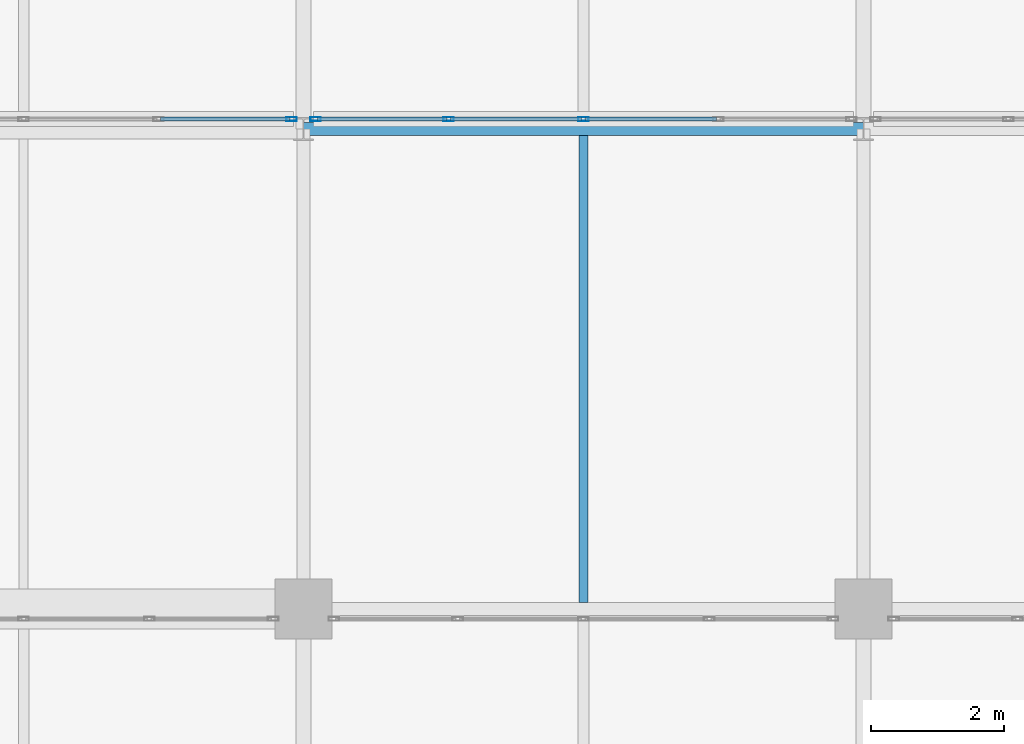
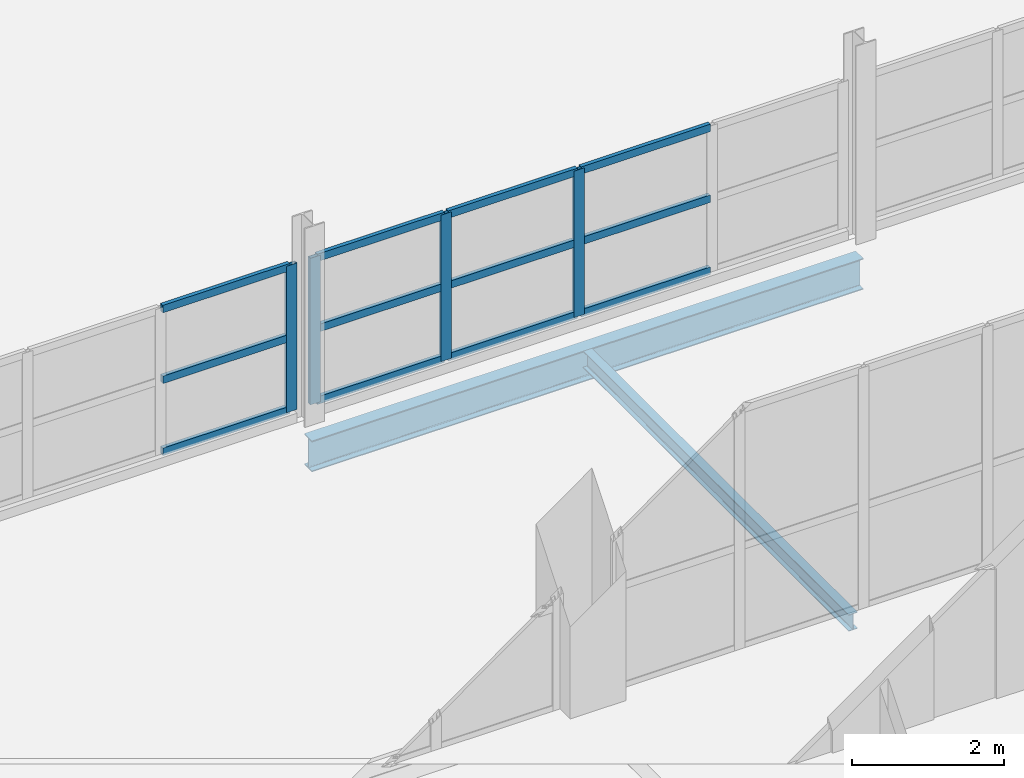
# One storey, part 20 of 103: 16 members, 2 beams, 2 elements without a shape of their own.
"""IFC4 building model written with IfcOpenShell, lengths in metres."""

from ifc_helpers import new_model, si_unit, direction, frame, origin, origin_2d, place, context, subcontext, project, spatial, hollow_rectangle, i_section, extrude, material, material_profile, profile_set, type_object, element, aggregate, save


model = new_model("IFC4")

# Units and contexts
model_context = context("Model", 3, precision=1e-05, world=origin(), true_north=direction((0.0, 1.0)))
body_context = subcontext(model_context, "Body", "Model", "MODEL_VIEW")
ifc_project = project(units=[si_unit("LENGTHUNIT", "METRE"), si_unit("AREAUNIT", "SQUARE_METRE"), si_unit("VOLUMEUNIT", "CUBIC_METRE"), si_unit("PLANEANGLEUNIT", "RADIAN"), si_unit("MASSUNIT", "GRAM", prefix="KILO")], contexts=[model_context])

# Site, building, storey
site_placement = place(None, origin())
site = spatial("IfcSite", under=ifc_project, at=site_placement, CompositionType="ELEMENT")
building_placement = place(site_placement, origin())
building = spatial("IfcBuilding", under=site, at=building_placement, Name="Veltarok Museum of Natural Sciences", CompositionType="ELEMENT")
storey_placement = place(building_placement, frame((0.0, 0.0, 21.89990234375)))
storey = spatial("IfcBuildingStorey", under=building, at=storey_placement, Name="L04", CompositionType="ELEMENT", Elevation=21.89990234375)

# Curtain wall, members
ifc_material_1 = material(Name="Low-iron triple insulated glass", Category="glass")
curtain_wall_type = type_object("IfcCurtainWallType", Name="Curtain Wall System CW-V2S-L04-810x236 (V2 South Setback L04 810x236cm)", PredefinedType="NOTDEFINED", material=ifc_material_1)
curtain_wall_1_placement = place(storey_placement, origin())
curtain_wall_1 = element("IfcCurtainWall", 1, at=curtain_wall_1_placement, inside=storey, type_object=curtain_wall_type, Name="Curtain Wall CW-V2S-L04-810x236 CW-0223", PredefinedType="NOTDEFINED")
ifc_material_2 = material(Name="Thermally broken anodised aluminium", Category="aluminium")
ifc_material_profile_1 = material_profile(ifc_material_2, hollow_rectangle(XDim=0.06005859375, YDim=0.1201171875, WallThickness=0.0048828125, at=origin_2d()), Name="CW TRANSOM 60x120x5")
ifc_profile_set_1 = profile_set([ifc_material_profile_1], Name="Thermally broken anodised aluminium")
member_type_1 = type_object("IfcMemberType", Name="Curtain Wall Horizontal Transom 60x120x5", PredefinedType="USERDEFINED", material=ifc_profile_set_1)
member_1_placement = place(storey_placement, frame((46.2548828125, 26.550048828125, 0.190185546875), z_axis=(1.0, 0.0, 0.0), x_axis=(0.0, 1.0, 0.0)))
member_1 = element("IfcMember", 2, at=member_1_placement, type_object=member_type_1, Name="CW-V2S-L04-810x236 transom 4.1", ObjectType="TRANSOM", PredefinedType="USERDEFINED", context=body_context, shape_type="SweptSolid", body=[
    extrude(hollow_rectangle(XDim=0.06005859375, YDim=0.1201171875, WallThickness=0.0048828125, at=origin_2d()), origin(), (0.0, 0.0, 1.0), 1.93505859375),
])
member_2_placement = place(storey_placement, frame((46.2548828125, 26.550048828125, 1.35009765625), z_axis=(1.0, 0.0, 0.0), x_axis=(0.0, 1.0, 0.0)))
member_2 = element("IfcMember", 3, at=member_2_placement, type_object=member_type_1, Name="CW-V2S-L04-810x236 transom 4.2", ObjectType="TRANSOM", PredefinedType="USERDEFINED", context=body_context, shape_type="SweptSolid", body=[
    extrude(hollow_rectangle(XDim=0.06005859375, YDim=0.1201171875, WallThickness=0.0048828125, at=origin_2d()), origin(), (0.0, 0.0, 1.0), 1.93505859375),
])
member_3_placement = place(storey_placement, frame((46.2548828125, 26.550048828125, 2.489990234375), z_axis=(1.0, 0.0, 0.0), x_axis=(0.0, 1.0, 0.0)))
member_3 = element("IfcMember", 4, at=member_3_placement, type_object=member_type_1, Name="CW-V2S-L04-810x236 transom 4.3", ObjectType="TRANSOM", PredefinedType="USERDEFINED", context=body_context, shape_type="SweptSolid", body=[
    extrude(hollow_rectangle(XDim=0.06005859375, YDim=0.1201171875, WallThickness=0.0048828125, at=origin_2d()), origin(), (0.0, 0.0, 1.0), 1.93505859375),
])

curtain_wall_2_placement = place(storey_placement, origin())
curtain_wall_2 = element("IfcCurtainWall", 5, at=curtain_wall_2_placement, inside=storey, type_object=curtain_wall_type, Name="Curtain Wall CW-V2S-L04-810x236 CW-0224", PredefinedType="NOTDEFINED")
member_4_placement = place(storey_placement, frame((48.610107421875, 26.550048828125, 0.190185546875), z_axis=(1.0, 0.0, 0.0), x_axis=(0.0, 1.0, 0.0)))
member_4 = element("IfcMember", 6, at=member_4_placement, type_object=member_type_1, Name="CW-V2S-L04-810x236 transom 1.1", ObjectType="TRANSOM", PredefinedType="USERDEFINED", context=body_context, shape_type="SweptSolid", body=[
    extrude(hollow_rectangle(XDim=0.06005859375, YDim=0.1201171875, WallThickness=0.0048828125, at=origin_2d()), origin(), (0.0, 0.0, 1.0), 1.934814453125),
])
member_5_placement = place(storey_placement, frame((48.610107421875, 26.550048828125, 1.35009765625), z_axis=(1.0, 0.0, 0.0), x_axis=(0.0, 1.0, 0.0)))
member_5 = element("IfcMember", 7, at=member_5_placement, type_object=member_type_1, Name="CW-V2S-L04-810x236 transom 1.2", ObjectType="TRANSOM", PredefinedType="USERDEFINED", context=body_context, shape_type="SweptSolid", body=[
    extrude(hollow_rectangle(XDim=0.06005859375, YDim=0.1201171875, WallThickness=0.0048828125, at=origin_2d()), origin(), (0.0, 0.0, 1.0), 1.934814453125),
])
member_6_placement = place(storey_placement, frame((48.610107421875, 26.550048828125, 2.489990234375), z_axis=(1.0, 0.0, 0.0), x_axis=(0.0, 1.0, 0.0)))
member_6 = element("IfcMember", 8, at=member_6_placement, type_object=member_type_1, Name="CW-V2S-L04-810x236 transom 1.3", ObjectType="TRANSOM", PredefinedType="USERDEFINED", context=body_context, shape_type="SweptSolid", body=[
    extrude(hollow_rectangle(XDim=0.06005859375, YDim=0.1201171875, WallThickness=0.0048828125, at=origin_2d()), origin(), (0.0, 0.0, 1.0), 1.934814453125),
])
member_7_placement = place(storey_placement, frame((50.60498046875, 26.550048828125, 0.190185546875), z_axis=(1.0, 0.0, 0.0), x_axis=(0.0, 1.0, 0.0)))
member_7 = element("IfcMember", 9, at=member_7_placement, type_object=member_type_1, Name="CW-V2S-L04-810x236 transom 2.1", ObjectType="TRANSOM", PredefinedType="USERDEFINED", context=body_context, shape_type="SweptSolid", body=[
    extrude(hollow_rectangle(XDim=0.06005859375, YDim=0.1201171875, WallThickness=0.0048828125, at=origin_2d()), origin(), (0.0, 0.0, 1.0), 1.965087890625),
])
member_8_placement = place(storey_placement, frame((50.60498046875, 26.550048828125, 1.35009765625), z_axis=(1.0, 0.0, 0.0), x_axis=(0.0, 1.0, 0.0)))
member_8 = element("IfcMember", 10, at=member_8_placement, type_object=member_type_1, Name="CW-V2S-L04-810x236 transom 2.2", ObjectType="TRANSOM", PredefinedType="USERDEFINED", context=body_context, shape_type="SweptSolid", body=[
    extrude(hollow_rectangle(XDim=0.06005859375, YDim=0.1201171875, WallThickness=0.0048828125, at=origin_2d()), origin(), (0.0, 0.0, 1.0), 1.965087890625),
])
member_9_placement = place(storey_placement, frame((50.60498046875, 26.550048828125, 2.489990234375), z_axis=(1.0, 0.0, 0.0), x_axis=(0.0, 1.0, 0.0)))
member_9 = element("IfcMember", 11, at=member_9_placement, type_object=member_type_1, Name="CW-V2S-L04-810x236 transom 2.3", ObjectType="TRANSOM", PredefinedType="USERDEFINED", context=body_context, shape_type="SweptSolid", body=[
    extrude(hollow_rectangle(XDim=0.06005859375, YDim=0.1201171875, WallThickness=0.0048828125, at=origin_2d()), origin(), (0.0, 0.0, 1.0), 1.965087890625),
])
member_10_placement = place(storey_placement, frame((52.6298828125, 26.550048828125, 0.190185546875), z_axis=(1.0, 0.0, 0.0), x_axis=(0.0, 1.0, 0.0)))
member_10 = element("IfcMember", 12, at=member_10_placement, type_object=member_type_1, Name="CW-V2S-L04-810x236 transom 3.1", ObjectType="TRANSOM", PredefinedType="USERDEFINED", context=body_context, shape_type="SweptSolid", body=[
    extrude(hollow_rectangle(XDim=0.06005859375, YDim=0.1201171875, WallThickness=0.0048828125, at=origin_2d()), origin(), (0.0, 0.0, 1.0), 1.965087890625),
])
member_11_placement = place(storey_placement, frame((52.6298828125, 26.550048828125, 1.35009765625), z_axis=(1.0, 0.0, 0.0), x_axis=(0.0, 1.0, 0.0)))
member_11 = element("IfcMember", 13, at=member_11_placement, type_object=member_type_1, Name="CW-V2S-L04-810x236 transom 3.2", ObjectType="TRANSOM", PredefinedType="USERDEFINED", context=body_context, shape_type="SweptSolid", body=[
    extrude(hollow_rectangle(XDim=0.06005859375, YDim=0.1201171875, WallThickness=0.0048828125, at=origin_2d()), origin(), (0.0, 0.0, 1.0), 1.965087890625),
])
member_12_placement = place(storey_placement, frame((52.6298828125, 26.550048828125, 2.489990234375), z_axis=(1.0, 0.0, 0.0), x_axis=(0.0, 1.0, 0.0)))
member_12 = element("IfcMember", 14, at=member_12_placement, type_object=member_type_1, Name="CW-V2S-L04-810x236 transom 3.3", ObjectType="TRANSOM", PredefinedType="USERDEFINED", context=body_context, shape_type="SweptSolid", body=[
    extrude(hollow_rectangle(XDim=0.06005859375, YDim=0.1201171875, WallThickness=0.0048828125, at=origin_2d()), origin(), (0.0, 0.0, 1.0), 1.965087890625),
])

# Member
ifc_material_profile_2 = material_profile(ifc_material_2, hollow_rectangle(XDim=0.06005859375, YDim=0.159912109375, WallThickness=0.0048828125, at=origin_2d()), Name="CW MULLION 60x160x5")
ifc_profile_set_2 = profile_set([ifc_material_profile_2], Name="Thermally broken anodised aluminium")
member_type_2 = type_object("IfcMemberType", Name="Curtain Wall Vertical Mullion 60x160x5", PredefinedType="MULLION", material=ifc_profile_set_2)
member_13_placement = place(storey_placement, frame((48.219970703125, 26.550048828125, 0.16015625), z_axis=(0.0, 0.0, 1.0), x_axis=(0.0, 1.0, 0.0)))
member_13 = element("IfcMember", 15, at=member_13_placement, type_object=member_type_2, Name="CW-V2S-L04-810x236 mullion 5", PredefinedType="MULLION", context=body_context, shape_type="SweptSolid", body=[
    extrude(hollow_rectangle(XDim=0.06005859375, YDim=0.159912109375, WallThickness=0.0048828125, at=origin_2d()), origin(), (0.0, 0.0, 1.0), 2.35986328125),
])

aggregate(curtain_wall_1, [member_13, member_1, member_2, member_3])

member_14_placement = place(storey_placement, frame((48.580078125, 26.550048828125, 0.16015625), z_axis=(0.0, 0.0, 1.0), x_axis=(0.0, 1.0, 0.0)))
member_14 = element("IfcMember", 16, at=member_14_placement, type_object=member_type_2, Name="CW-V2S-L04-810x236 mullion 1", PredefinedType="MULLION", context=body_context, shape_type="SweptSolid", body=[
    extrude(hollow_rectangle(XDim=0.06005859375, YDim=0.159912109375, WallThickness=0.0048828125, at=origin_2d()), origin(), (0.0, 0.0, 1.0), 2.35986328125),
])

member_15_placement = place(storey_placement, frame((50.574951171875, 26.550048828125, 0.16015625), z_axis=(0.0, 0.0, 1.0), x_axis=(0.0, 1.0, 0.0)))
member_15 = element("IfcMember", 17, at=member_15_placement, type_object=member_type_2, Name="CW-V2S-L04-810x236 mullion 2", PredefinedType="MULLION", context=body_context, shape_type="SweptSolid", body=[
    extrude(hollow_rectangle(XDim=0.06005859375, YDim=0.159912109375, WallThickness=0.0048828125, at=origin_2d()), origin(), (0.0, 0.0, 1.0), 2.35986328125),
])

member_16_placement = place(storey_placement, frame((52.60009765625, 26.550048828125, 0.16015625), z_axis=(0.0, 0.0, 1.0), x_axis=(0.0, 1.0, 0.0)))
member_16 = element("IfcMember", 18, at=member_16_placement, type_object=member_type_2, Name="CW-V2S-L04-810x236 mullion 3", PredefinedType="MULLION", context=body_context, shape_type="SweptSolid", body=[
    extrude(hollow_rectangle(XDim=0.06005859375, YDim=0.159912109375, WallThickness=0.0048828125, at=origin_2d()), origin(), (0.0, 0.0, 1.0), 2.35986328125),
])

aggregate(curtain_wall_2, [member_14, member_15, member_16, member_4, member_5, member_6, member_7, member_8, member_9, member_10, member_11, member_12])

# Beams
ifc_material_3 = material(Name="Steel S355J2", Category="steel")
ifc_material_profile_3 = material_profile(ifc_material_3, i_section(OverallWidth=0.135009765625, OverallDepth=0.27001953125, WebThickness=0.006591796875, FlangeThickness=0.01025390625, FilletRadius=0.014892578125, at=origin_2d()), Name="IPE 270")
ifc_profile_set_3 = profile_set([ifc_material_profile_3], Name="Steel S355J2")
beam_type_1 = type_object("IfcBeamType", Name="Short-Bay Composite Joist IPE 270", PredefinedType="JOIST", material=ifc_profile_set_3)
beam_1_placement = place(storey_placement, frame((52.60009765625, 19.298095703125, -0.385009765625), z_axis=(0.0, 1.0, 0.0), x_axis=(-1.0, 0.0, 0.0)))
element("IfcBeam", 19, at=beam_1_placement, inside=storey, type_object=beam_type_1, Name="Secondary Joist BM-J04 L04 6-7/C-D.1", PredefinedType="JOIST", context=body_context, shape_type="SweptSolid", body=[
    extrude(i_section(OverallWidth=0.135009765625, OverallDepth=0.27001953125, WebThickness=0.006591796875, FlangeThickness=0.01025390625, FilletRadius=0.014892578125, at=origin_2d()), origin(), (0.0, 0.0, 1.0), 7.00390625),
])
ifc_material_profile_4 = material_profile(ifc_material_3, i_section(OverallWidth=0.199951171875, OverallDepth=0.5, WebThickness=0.01025390625, FlangeThickness=0.01611328125, FilletRadius=0.02099609375, at=origin_2d()), Name="IPE 500")
ifc_profile_set_4 = profile_set([ifc_material_profile_4], Name="Steel S355J2")
beam_type_2 = type_object("IfcBeamType", Name="Standard Gallery Girder IPE 500", PredefinedType="BEAM", material=ifc_profile_set_4)
beam_2_placement = place(storey_placement, frame((48.39990234375, 26.39990234375, -0.5), z_axis=(1.0, 0.0, 0.0), x_axis=(0.0, 1.0, 0.0)))
element("IfcBeam", 20, at=beam_2_placement, inside=storey, type_object=beam_type_2, Name="Beam BM-G04 L04 6-7/D", PredefinedType="BEAM", context=body_context, shape_type="SweptSolid", body=[
    extrude(i_section(OverallWidth=0.199951171875, OverallDepth=0.5, WebThickness=0.01025390625, FlangeThickness=0.01611328125, FilletRadius=0.02099609375, at=origin_2d()), origin(), (0.0, 0.0, 1.0), 8.400146484375),
])

save(model, "model.ifc")
